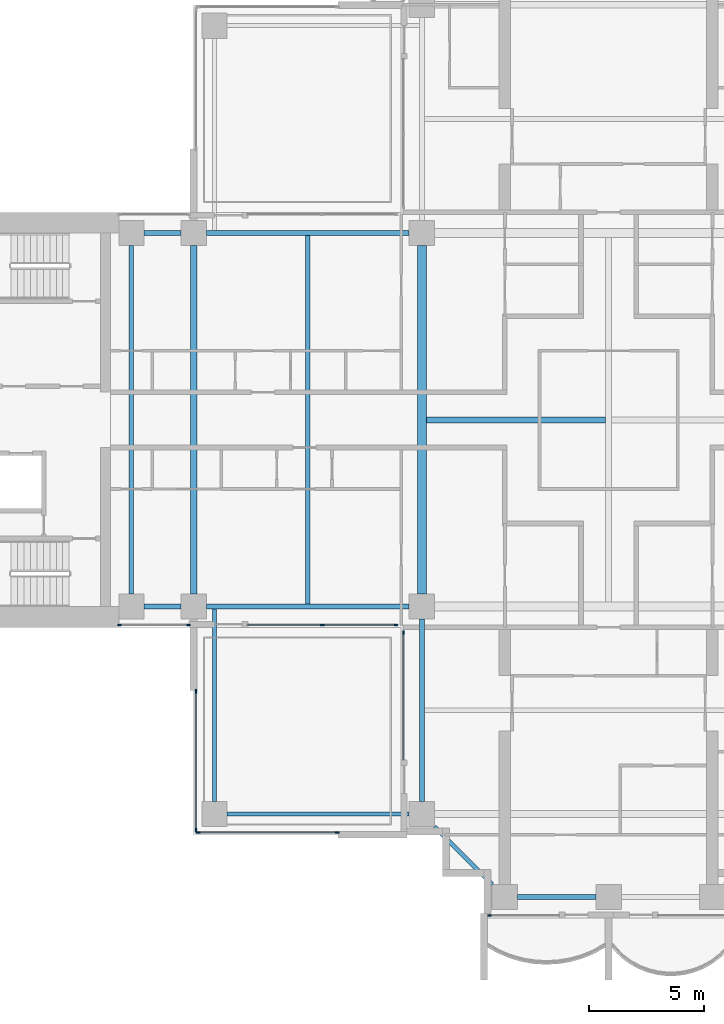
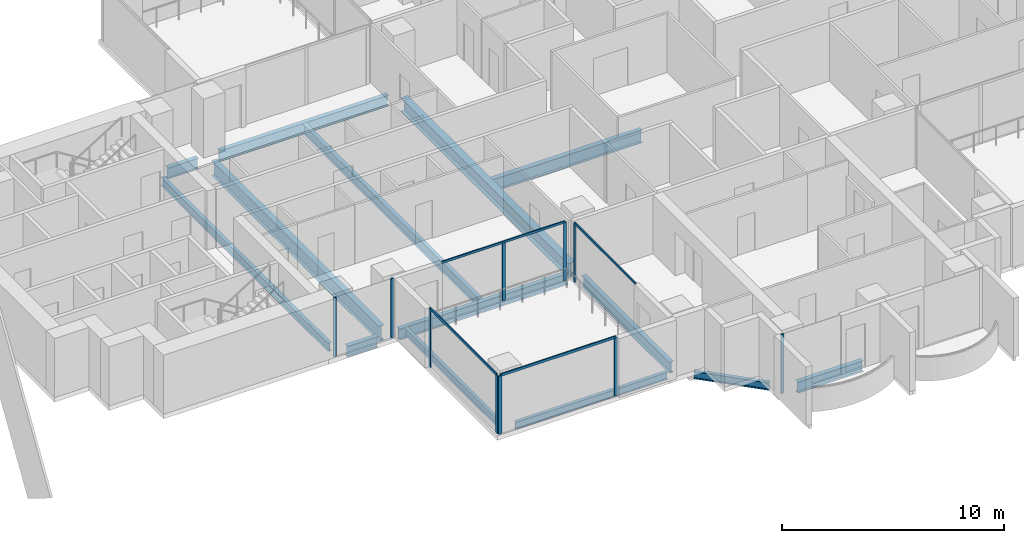
# One storey, part 2 of 19: 14 beams, 14 members, 6 elements without a shape of their own.
"""IFC4 building model written with IfcOpenShell, lengths in metres."""

from ifc_helpers import new_model, si_unit, direction, frame, origin, origin_2d, place, context, subcontext, project, spatial, rectangle, i_section, extrude, material, material_profile, profile_set, type_object, element, aggregate, save


model = new_model("IFC4")

# Units and contexts
model_context = context("Model", 3, precision=1e-05, world=origin(), true_north=direction((0.0, 1.0)))
body_context = subcontext(model_context, "Body", "Model", "MODEL_VIEW")
ifc_project = project(units=[si_unit("LENGTHUNIT", "METRE"), si_unit("AREAUNIT", "SQUARE_METRE"), si_unit("VOLUMEUNIT", "CUBIC_METRE"), si_unit("PLANEANGLEUNIT", "RADIAN"), si_unit("MASSUNIT", "GRAM", prefix="KILO")], contexts=[model_context])

# Site, building, storey
site_placement = place(None, origin())
site = spatial("IfcSite", under=ifc_project, at=site_placement, CompositionType="ELEMENT")
building_placement = place(site_placement, origin())
building = spatial("IfcBuilding", under=site, at=building_placement, Name="Perihelion Cross Residences", CompositionType="ELEMENT")
storey_placement = place(building_placement, frame((0.0, 0.0, 109.39990234375)))
storey = spatial("IfcBuildingStorey", under=building, at=storey_placement, Name="L25", CompositionType="ELEMENT", Elevation=109.39990234375)

# Curtain wall, members
ifc_material_1 = material(Name="Bronze anodised aluminium, tinted glazing", Category="aluminium")
curtain_wall_type_1 = type_object("IfcCurtainWallType", Name="CW1", PredefinedType="NOTDEFINED", material=ifc_material_1)
curtain_wall_1_placement = place(storey_placement, origin())
curtain_wall_1 = element("IfcCurtainWall", 1, at=curtain_wall_1_placement, inside=storey, type_object=curtain_wall_type_1, Name="Curtain wall CW1 L25 west side south bay 1", PredefinedType="NOTDEFINED")
ifc_material_2 = material(Name="Bronze anodised aluminium", Category="aluminium")
ifc_material_profile_1 = material_profile(ifc_material_2, rectangle(XDim=0.06005859375, YDim=0.159912109375, at=origin_2d()), Name="CW1 mullion")
ifc_profile_set_1 = profile_set([ifc_material_profile_1], Name="Bronze anodised aluminium")
member_type_1 = type_object("IfcMemberType", Name="CW1 mullion", PredefinedType="MULLION", material=ifc_profile_set_1)
member_1_placement = place(storey_placement, frame((-21.219970703125, -8.89990234375, 0.0), z_axis=(0.0, 0.0, 1.0), x_axis=(0.0, 1.0, 0.0)))
member_1 = element("IfcMember", 2, at=member_1_placement, type_object=member_type_1, Name="CW1 mullion 1", PredefinedType="MULLION", context=body_context, shape_type="SweptSolid", body=[
    extrude(rectangle(XDim=0.06005859375, YDim=0.159912109375, at=origin_2d()), origin(), (0.0, 0.0, 1.0), 3.25),
])
member_2_placement = place(storey_placement, frame((-18.22998046875, -8.89990234375, 0.0), z_axis=(0.0, 0.0, 1.0), x_axis=(0.0, 1.0, 0.0)))
member_2 = element("IfcMember", 3, at=member_2_placement, type_object=member_type_1, Name="CW1 mullion 2", PredefinedType="MULLION", context=body_context, shape_type="SweptSolid", body=[
    extrude(rectangle(XDim=0.06005859375, YDim=0.159912109375, at=origin_2d()), origin(), (0.0, 0.0, 1.0), 3.25),
])
aggregate(curtain_wall_1, [member_1, member_2])

curtain_wall_2_placement = place(storey_placement, origin())
curtain_wall_2 = element("IfcCurtainWall", 4, at=curtain_wall_2_placement, inside=storey, type_object=curtain_wall_type_1, Name="Curtain wall CW1 L25 west side south bay 2", PredefinedType="NOTDEFINED")
member_3_placement = place(storey_placement, frame((-12.425048828125, -8.89990234375, 0.0), z_axis=(0.0, 0.0, 1.0), x_axis=(0.0, 1.0, 0.0)))
member_3 = element("IfcMember", 5, at=member_3_placement, type_object=member_type_1, Name="CW1 mullion 2", PredefinedType="MULLION", context=body_context, shape_type="SweptSolid", body=[
    extrude(rectangle(XDim=0.06005859375, YDim=0.159912109375, at=origin_2d()), origin(), (0.0, 0.0, 1.0), 3.190185546875),
])
member_4_placement = place(storey_placement, frame((-9.22998046875, -8.89990234375, 0.0), z_axis=(0.0, 0.0, 1.0), x_axis=(0.0, 1.0, 0.0)))
member_4 = element("IfcMember", 6, at=member_4_placement, type_object=member_type_1, Name="CW1 mullion 3", PredefinedType="MULLION", context=body_context, shape_type="SweptSolid", body=[
    extrude(rectangle(XDim=0.06005859375, YDim=0.159912109375, at=origin_2d()), origin(), (0.0, 0.0, 1.0), 3.190185546875),
])

# Curtain wall, member
curtain_wall_3_placement = place(storey_placement, origin())
curtain_wall_3 = element("IfcCurtainWall", 7, at=curtain_wall_3_placement, inside=storey, type_object=curtain_wall_type_1, Name="Curtain wall CW1 L25 south side west bay 1", PredefinedType="NOTDEFINED")
member_5_placement = place(storey_placement, frame((-8.89990234375, -9.22998046875, 0.0), z_axis=(0.0, 0.0, 1.0), x_axis=(1.0, 0.0, 0.0)))
member_5 = element("IfcMember", 8, at=member_5_placement, type_object=member_type_1, Name="CW1 mullion 1", PredefinedType="MULLION", context=body_context, shape_type="SweptSolid", body=[
    extrude(rectangle(XDim=0.06005859375, YDim=0.159912109375, at=origin_2d()), origin(), (0.0, 0.0, 1.0), 3.190185546875),
])

curtain_wall_4_placement = place(storey_placement, origin())
curtain_wall_4 = element("IfcCurtainWall", 9, at=curtain_wall_4_placement, inside=storey, type_object=curtain_wall_type_1, Name="Curtain wall CW1 L25 south tip south bay 1", PredefinedType="NOTDEFINED")
member_6_placement = place(storey_placement, frame((-5.169921875, -21.5, 0.0), z_axis=(0.0, 0.0, 1.0), x_axis=(0.0, 1.0, 0.0)))
member_6 = element("IfcMember", 10, at=member_6_placement, type_object=member_type_1, Name="CW1 mullion 1", PredefinedType="MULLION", context=body_context, shape_type="SweptSolid", body=[
    extrude(rectangle(XDim=0.06005859375, YDim=0.159912109375, at=origin_2d()), origin(), (0.0, 0.0, 1.0), 3.25),
])
aggregate(curtain_wall_4, [member_6])

# Member
ifc_material_3 = material(Name="Bronze anodised aluminium", Category="aluminium")
ifc_material_profile_2 = material_profile(ifc_material_3, rectangle(XDim=0.06005859375, YDim=0.1201171875, at=origin_2d()), Name="CW1 transom")
ifc_profile_set_2 = profile_set([ifc_material_profile_2], Name="Bronze anodised aluminium")
member_type_2 = type_object("IfcMemberType", Name="CW1 transom", PredefinedType="USERDEFINED", material=ifc_profile_set_2)
member_7_placement = place(storey_placement, frame((-15.64990234375, -8.89990234375, 3.22021484375), z_axis=(1.0, 0.0, 0.0), x_axis=(0.0, 1.0, 0.0)))
member_7 = element("IfcMember", 11, at=member_7_placement, type_object=member_type_2, Name="CW1 head transom", ObjectType="TRANSOM", PredefinedType="USERDEFINED", context=body_context, shape_type="SweptSolid", body=[
    extrude(rectangle(XDim=0.06005859375, YDim=0.1201171875, at=origin_2d()), origin(), (0.0, 0.0, 1.0), 6.419921875),
])

aggregate(curtain_wall_2, [member_3, member_4, member_7])

member_8_placement = place(storey_placement, frame((-8.89990234375, -9.22998046875, 3.22021484375), z_axis=(0.0, -1.0, 0.0), x_axis=(1.0, 0.0, 0.0)))
member_8 = element("IfcMember", 12, at=member_8_placement, type_object=member_type_2, Name="CW1 head transom", ObjectType="TRANSOM", PredefinedType="USERDEFINED", context=body_context, shape_type="SweptSolid", body=[
    extrude(rectangle(XDim=0.06005859375, YDim=0.1201171875, at=origin_2d()), origin(), (0.0, 0.0, 1.0), 5.52001953125),
])

aggregate(curtain_wall_3, [member_5, member_8])

# Curtain wall, members
ifc_material_4 = material(Name="Bronze anodised aluminium, tinted glazing", Category="aluminium")
curtain_wall_type_2 = type_object("IfcCurtainWallType", Name="CW4", PredefinedType="NOTDEFINED", material=ifc_material_4)
curtain_wall_5_placement = place(storey_placement, origin())
curtain_wall_5 = element("IfcCurtainWall", 13, at=curtain_wall_5_placement, inside=storey, type_object=curtain_wall_type_2, Name="Curtain wall CW4 L25 pocket south-west 1 1", PredefinedType="NOTDEFINED")
ifc_material_5 = material(Name="Bronze anodised aluminium", Category="aluminium")
ifc_material_profile_3 = material_profile(ifc_material_5, rectangle(XDim=0.06005859375, YDim=0.179931640625, at=origin_2d()), Name="CW4 mullion")
ifc_profile_set_3 = profile_set([ifc_material_profile_3], Name="Bronze anodised aluminium")
member_type_3 = type_object("IfcMemberType", Name="CW4 mullion", PredefinedType="MULLION", material=ifc_profile_set_3)
member_9_placement = place(storey_placement, frame((-11.77001953125, -17.89990234375, 0.0), z_axis=(0.0, 0.0, 1.0), x_axis=(0.0, -1.0, 0.0)))
member_9 = element("IfcMember", 14, at=member_9_placement, type_object=member_type_3, Name="CW4 mullion 1", PredefinedType="MULLION", context=body_context, shape_type="SweptSolid", body=[
    extrude(rectangle(XDim=0.06005859375, YDim=0.179931640625, at=origin_2d()), origin(), (0.0, 0.0, 1.0), 3.190185546875),
])
member_10_placement = place(storey_placement, frame((-17.800048828125, -17.89990234375, 0.0), z_axis=(0.0, 0.0, 1.0), x_axis=(0.0, -1.0, 0.0)))
member_10 = element("IfcMember", 15, at=member_10_placement, type_object=member_type_3, Name="CW4 mullion 2", PredefinedType="MULLION", context=body_context, shape_type="SweptSolid", body=[
    extrude(rectangle(XDim=0.06005859375, YDim=0.179931640625, at=origin_2d()), origin(), (0.0, 0.0, 1.0), 3.190185546875),
])

curtain_wall_6_placement = place(storey_placement, origin())
curtain_wall_6 = element("IfcCurtainWall", 16, at=curtain_wall_6_placement, inside=storey, type_object=curtain_wall_type_2, Name="Curtain wall CW4 L25 pocket south-west 1 2", PredefinedType="NOTDEFINED")
member_11_placement = place(storey_placement, frame((-17.89990234375, -17.800048828125, 0.0), z_axis=(0.0, 0.0, 1.0), x_axis=(-1.0, 0.0, 0.0)))
member_11 = element("IfcMember", 17, at=member_11_placement, type_object=member_type_3, Name="CW4 mullion 1", PredefinedType="MULLION", context=body_context, shape_type="SweptSolid", body=[
    extrude(rectangle(XDim=0.06005859375, YDim=0.179931640625, at=origin_2d()), origin(), (0.0, 0.0, 1.0), 3.190185546875),
])
member_12_placement = place(storey_placement, frame((-17.89990234375, -11.77001953125, 0.0), z_axis=(0.0, 0.0, 1.0), x_axis=(-1.0, 0.0, 0.0)))
member_12 = element("IfcMember", 18, at=member_12_placement, type_object=member_type_3, Name="CW4 mullion 2", PredefinedType="MULLION", context=body_context, shape_type="SweptSolid", body=[
    extrude(rectangle(XDim=0.06005859375, YDim=0.179931640625, at=origin_2d()), origin(), (0.0, 0.0, 1.0), 3.190185546875),
])

# Member
ifc_material_6 = material(Name="Bronze anodised aluminium", Category="aluminium")
ifc_material_profile_4 = material_profile(ifc_material_6, rectangle(XDim=0.06005859375, YDim=0.139892578125, at=origin_2d()), Name="CW4 transom")
ifc_profile_set_4 = profile_set([ifc_material_profile_4], Name="Bronze anodised aluminium")
member_type_4 = type_object("IfcMemberType", Name="CW4 transom", PredefinedType="USERDEFINED", material=ifc_profile_set_4)
member_13_placement = place(storey_placement, frame((-11.77001953125, -17.89990234375, 3.22021484375), z_axis=(-1.0, 0.0, 0.0), x_axis=(0.0, -1.0, 0.0)))
member_13 = element("IfcMember", 19, at=member_13_placement, type_object=member_type_4, Name="CW4 head transom", ObjectType="TRANSOM", PredefinedType="USERDEFINED", context=body_context, shape_type="SweptSolid", body=[
    extrude(rectangle(XDim=0.06005859375, YDim=0.139892578125, at=origin_2d()), origin(), (0.0, 0.0, 1.0), 6.030029296875),
])

aggregate(curtain_wall_5, [member_9, member_10, member_13])

member_14_placement = place(storey_placement, frame((-17.89990234375, -17.800048828125, 3.22021484375), z_axis=(0.0, 1.0, 0.0), x_axis=(-1.0, 0.0, 0.0)))
member_14 = element("IfcMember", 20, at=member_14_placement, type_object=member_type_4, Name="CW4 head transom", ObjectType="TRANSOM", PredefinedType="USERDEFINED", context=body_context, shape_type="SweptSolid", body=[
    extrude(rectangle(XDim=0.06005859375, YDim=0.139892578125, at=origin_2d()), origin(), (0.0, 0.0, 1.0), 6.030029296875),
])

aggregate(curtain_wall_6, [member_11, member_12, member_14])

# Beams
ifc_material_7 = material(Name="Steel S355", Category="steel")
ifc_material_profile_5 = material_profile(ifc_material_7, i_section(OverallWidth=0.177978515625, OverallDepth=0.406005859375, WebThickness=0.0078125, FlangeThickness=0.0126953125, at=origin_2d()), Name="W410x60")
ifc_profile_set_5 = profile_set([ifc_material_profile_5], Name="Steel S355")
beam_type_1 = type_object("IfcBeamType", Name="Core edge beam W410x60", PredefinedType="BEAM", material=ifc_profile_set_5)
beam_1_placement = place(storey_placement, frame((-17.10009765625, -8.214599609375, -0.452880859375), z_axis=(0.0, -1.0, 0.0), x_axis=(1.0, 0.0, 0.0)))
element("IfcBeam", 21, at=beam_1_placement, inside=storey, type_object=beam_type_1, Name="Core edge beam TB2 L25 corner no. 1", PredefinedType="BEAM", context=body_context, shape_type="SweptSolid", body=[
    extrude(i_section(OverallWidth=0.177978515625, OverallDepth=0.406005859375, WebThickness=0.0078125, FlangeThickness=0.0126953125, at=origin_2d()), origin(), (0.0, 0.0, 1.0), 8.33544921875),
])
beam_2_placement = place(storey_placement, frame((-8.64990234375, -17.10009765625, -0.452880859375), z_axis=(-1.0, 0.0, 0.0), x_axis=(0.0, -1.0, 0.0)))
element("IfcBeam", 22, at=beam_2_placement, inside=storey, type_object=beam_type_1, Name="Core edge beam TB2 L25 corner no. 2", PredefinedType="BEAM", context=body_context, shape_type="SweptSolid", body=[
    extrude(i_section(OverallWidth=0.177978515625, OverallDepth=0.406005859375, WebThickness=0.0078125, FlangeThickness=0.0126953125, at=origin_2d()), origin(), (0.0, 0.0, 1.0), 7.900146484375),
])
ifc_material_8 = material(Name="Steel S355", Category="steel")
ifc_material_profile_6 = material_profile(ifc_material_8, i_section(OverallWidth=0.194091796875, OverallDepth=0.469970703125, WebThickness=0.0126953125, FlangeThickness=0.0205078125, at=origin_2d()), Name="W460x106")
ifc_profile_set_6 = profile_set([ifc_material_profile_6], Name="Steel S355")
beam_type_2 = type_object("IfcBeamType", Name="Core edge beam W460x106", PredefinedType="BEAM", material=ifc_profile_set_6)
beam_3_placement = place(storey_placement, frame((-20.699951171875, -7.550048828125, -0.48486328125), z_axis=(0.0, 1.0, 0.0), x_axis=(-1.0, 0.0, 0.0)))
element("IfcBeam", 23, at=beam_3_placement, inside=storey, type_object=beam_type_2, Name="Core edge beam TB5 L25 no. 1", PredefinedType="BEAM", context=body_context, shape_type="SweptSolid", body=[
    extrude(i_section(OverallWidth=0.194091796875, OverallDepth=0.469970703125, WebThickness=0.0126953125, FlangeThickness=0.0205078125, at=origin_2d()), origin(), (0.0, 0.0, 1.0), 15.10009765625),
])
ifc_material_9 = material(Name="Steel S355", Category="steel")
ifc_material_profile_7 = material_profile(ifc_material_9, i_section(OverallWidth=0.22900390625, OverallDepth=0.612060546875, WebThickness=0.011962890625, FlangeThickness=0.01953125, at=origin_2d()), Name="W610x125")
ifc_profile_set_7 = profile_set([ifc_material_profile_7], Name="Steel S355")
beam_type_3 = type_object("IfcBeamType", Name="Edge beam W610x125", PredefinedType="SPANDREL", material=ifc_profile_set_7)
beam_4_placement = place(storey_placement, frame((-8.64990234375, 8.10009765625, -0.555908203125), z_axis=(-1.0, 0.0, 0.0), x_axis=(0.0, -1.0, 0.0)))
element("IfcBeam", 24, at=beam_4_placement, inside=storey, type_object=beam_type_3, Name="Edge beam SB3 L25 no. 8", PredefinedType="SPANDREL", context=body_context, shape_type="SweptSolid", body=[
    extrude(i_section(OverallWidth=0.22900390625, OverallDepth=0.612060546875, WebThickness=0.011962890625, FlangeThickness=0.01953125, at=origin_2d()), origin(), (0.0, 0.0, 1.0), 8.800048828125),
])
for number, where, z_axis, x_axis, name in (
    (25, (-18.550048828125, 8.10009765625, -0.555908203125), (-1.0, 0.0, 0.0), (0.0, -1.0, 0.0), "Edge beam SB3 L25 no. 2"),
    (26, (-20.14990234375, -8.10009765625, -0.555908203125), (1.0, 0.0, 0.0), (0.0, 1.0, 0.0), "Edge beam SB3 L25 no. 3"),
):
    element("IfcBeam", number, at=place(storey_placement, frame(where, z_axis=z_axis, x_axis=x_axis)), inside=storey, type_object=beam_type_3, Name=name, PredefinedType="SPANDREL", context=body_context, shape_type="SweptSolid", body=[
        extrude(i_section(OverallWidth=0.22900390625, OverallDepth=0.612060546875, WebThickness=0.011962890625, FlangeThickness=0.01953125, at=origin_2d()), origin(), (0.0, 0.0, 1.0), 1.599853515625),
    ])
beam_5_placement = place(storey_placement, frame((-17.449951171875, -8.10009765625, -0.555908203125), z_axis=(1.0, 0.0, 0.0), x_axis=(0.0, 1.0, 0.0)))
element("IfcBeam", 27, at=beam_5_placement, inside=storey, type_object=beam_type_3, Name="Edge beam SB3 L25 no. 1", PredefinedType="SPANDREL", context=body_context, shape_type="SweptSolid", body=[
    extrude(i_section(OverallWidth=0.22900390625, OverallDepth=0.612060546875, WebThickness=0.011962890625, FlangeThickness=0.01953125, at=origin_2d()), origin(), (0.0, 0.0, 1.0), 8.800048828125),
])
beam_6_placement = place(storey_placement, frame((-8.10009765625, -8.64990234375, -0.555908203125), z_axis=(0.0, -1.0, 0.0), x_axis=(1.0, 0.0, 0.0)))
element("IfcBeam", 28, at=beam_6_placement, inside=storey, type_object=beam_type_3, Name="Edge beam SB3 L25 no. 5", PredefinedType="SPANDREL", context=body_context, shape_type="SweptSolid", body=[
    extrude(i_section(OverallWidth=0.22900390625, OverallDepth=0.612060546875, WebThickness=0.011962890625, FlangeThickness=0.01953125, at=origin_2d()), origin(), (0.0, 0.0, 1.0), 7.900146484375),
])
beam_7_placement = place(storey_placement, frame((-3.949951171875, -20.699951171875, -0.555908203125), z_axis=(1.0, 0.0, 0.0), x_axis=(0.0, 1.0, 0.0)))
element("IfcBeam", 29, at=beam_7_placement, inside=storey, type_object=beam_type_3, Name="Edge beam SB3 L25 no. 4", PredefinedType="SPANDREL", context=body_context, shape_type="SweptSolid", body=[
    extrude(i_section(OverallWidth=0.22900390625, OverallDepth=0.612060546875, WebThickness=0.011962890625, FlangeThickness=0.01953125, at=origin_2d()), origin(), (0.0, 0.0, 1.0), 3.39990234375),
])
ifc_material_10 = material(Name="Steel S355", Category="steel")
ifc_material_profile_8 = material_profile(ifc_material_10, i_section(OverallWidth=0.2919921875, OverallDepth=0.8359375, WebThickness=0.013916015625, FlangeThickness=0.018798828125, at=origin_2d()), Name="W840x176")
ifc_profile_set_8 = profile_set([ifc_material_profile_8], Name="Steel S355")
beam_type_4 = type_object("IfcBeamType", Name="Floor girder W840x176", PredefinedType="BEAM", material=ifc_profile_set_8)
beam_8_placement = place(storey_placement, frame((-18.0, -7.550048828125, -0.66796875), z_axis=(0.0, 1.0, 0.0), x_axis=(-1.0, 0.0, 0.0)))
element("IfcBeam", 30, at=beam_8_placement, inside=storey, type_object=beam_type_4, Name="Girder G3 L25 no. 1", PredefinedType="BEAM", context=body_context, shape_type="SweptSolid", body=[
    extrude(i_section(OverallWidth=0.2919921875, OverallDepth=0.8359375, WebThickness=0.013916015625, FlangeThickness=0.018798828125, at=origin_2d()), origin(), (0.0, 0.0, 1.0), 15.10009765625),
])
ifc_material_11 = material(Name="Steel S355", Category="steel")
ifc_material_profile_9 = material_profile(ifc_material_11, i_section(OverallWidth=0.208984375, OverallDepth=0.532958984375, WebThickness=0.01025390625, FlangeThickness=0.015625, at=origin_2d()), Name="W530x92")
ifc_profile_set_9 = profile_set([ifc_material_profile_9], Name="Steel S355")
beam_type_5 = type_object("IfcBeamType", Name="Floor joist W530x92", PredefinedType="JOIST", material=ifc_profile_set_9)
beam_9_placement = place(storey_placement, frame((-13.050048828125, -7.985595703125, -0.516357421875), z_axis=(0.0, 1.0, 0.0), x_axis=(-1.0, 0.0, 0.0)))
element("IfcBeam", 31, at=beam_9_placement, inside=storey, type_object=beam_type_5, Name="Joist J4 L25 no. 1", PredefinedType="JOIST", context=body_context, shape_type="SweptSolid", body=[
    extrude(i_section(OverallWidth=0.208984375, OverallDepth=0.532958984375, WebThickness=0.01025390625, FlangeThickness=0.015625, at=origin_2d()), origin(), (0.0, 0.0, 1.0), 15.97119140625),
])
ifc_material_12 = material(Name="Steel S355", Category="steel")
ifc_material_profile_10 = material_profile(ifc_material_12, i_section(OverallWidth=0.257080078125, OverallDepth=0.693115234375, WebThickness=0.014404296875, FlangeThickness=0.023681640625, at=origin_2d()), Name="W690x170")
ifc_profile_set_10 = profile_set([ifc_material_profile_10], Name="Steel S355")
beam_type_6 = type_object("IfcBeamType", Name="Hub cross beam W690x170", PredefinedType="BEAM", material=ifc_profile_set_10)
beam_10_placement = place(storey_placement, frame((-7.909423828125, 0.0, -0.596435546875), z_axis=(1.0, 0.0, 0.0), x_axis=(0.0, 1.0, 0.0)))
element("IfcBeam", 32, at=beam_10_placement, inside=storey, type_object=beam_type_6, Name="Hub cross beam XB3 L25 1 no. 1", PredefinedType="BEAM", context=body_context, shape_type="SweptSolid", body=[
    extrude(i_section(OverallWidth=0.257080078125, OverallDepth=0.693115234375, WebThickness=0.014404296875, FlangeThickness=0.023681640625, at=origin_2d()), origin(), (0.0, 0.0, 1.0), 7.781005859375),
])
ifc_material_13 = material(Name="Steel S355", Category="steel")
ifc_material_profile_11 = material_profile(ifc_material_13, i_section(OverallWidth=0.381103515625, OverallDepth=0.77197265625, WebThickness=0.0166015625, FlangeThickness=0.027099609375, at=origin_2d()), Name="W760x257")
ifc_profile_set_11 = profile_set([ifc_material_profile_11], Name="Steel S355")
beam_type_7 = type_object("IfcBeamType", Name="Hub ring girder W760x257", PredefinedType="BEAM", material=ifc_profile_set_11)
beam_11_placement = place(storey_placement, frame((-8.10009765625, 7.550048828125, -0.635986328125), z_axis=(0.0, -1.0, 0.0), x_axis=(1.0, 0.0, 0.0)))
element("IfcBeam", 33, at=beam_11_placement, inside=storey, type_object=beam_type_7, Name="Hub ring girder RG3 L25 no. 2", PredefinedType="BEAM", context=body_context, shape_type="SweptSolid", body=[
    extrude(i_section(OverallWidth=0.381103515625, OverallDepth=0.77197265625, WebThickness=0.0166015625, FlangeThickness=0.027099609375, at=origin_2d()), origin(), (0.0, 0.0, 1.0), 15.10009765625),
])
ifc_material_14 = material(Name="Steel S355", Category="steel")
ifc_material_profile_12 = material_profile(ifc_material_14, i_section(OverallWidth=0.180908203125, OverallDepth=0.4169921875, WebThickness=0.010986328125, FlangeThickness=0.018310546875, at=origin_2d()), Name="W410x85")
ifc_profile_set_12 = profile_set([ifc_material_profile_12], Name="Steel S355")
beam_type_8 = type_object("IfcBeamType", Name="Serration edge beam W410x85", PredefinedType="BEAM", material=ifc_profile_set_12)
beam_12_placement = place(storey_placement, frame((-7.550048828125, -17.64990234375, -0.45849609375), z_axis=(0.707106781187, -0.707106781187, 0.0), x_axis=(0.707106781187, 0.707106781187, 0.0)))
element("IfcBeam", 34, at=beam_12_placement, inside=storey, type_object=beam_type_8, Name="Serration edge beam EB3 L25 no. 2", PredefinedType="BEAM", context=body_context, shape_type="SweptSolid", body=[
    extrude(i_section(OverallWidth=0.180908203125, OverallDepth=0.4169921875, WebThickness=0.010986328125, FlangeThickness=0.018310546875, at=origin_2d()), origin(), (0.0, 0.0, 1.0), 3.53564453125),
])

save(model, "model.ifc")
